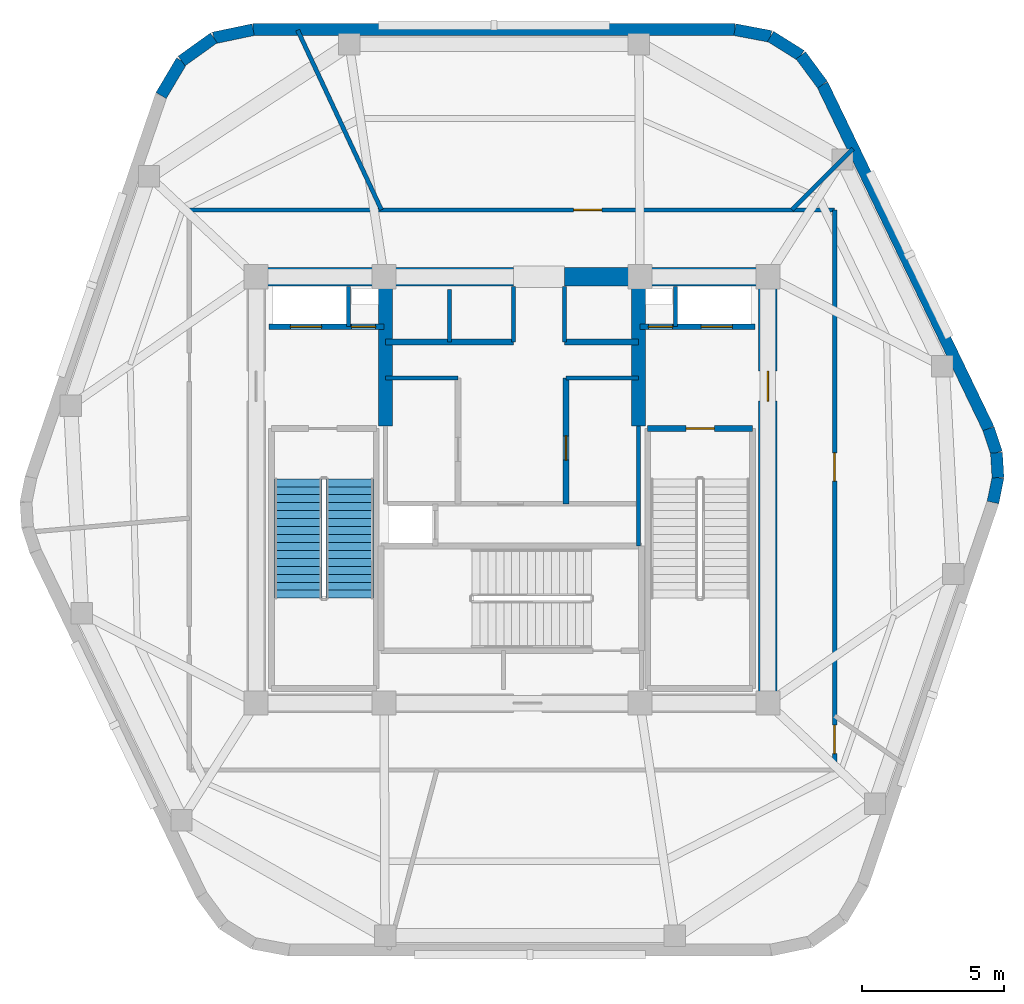
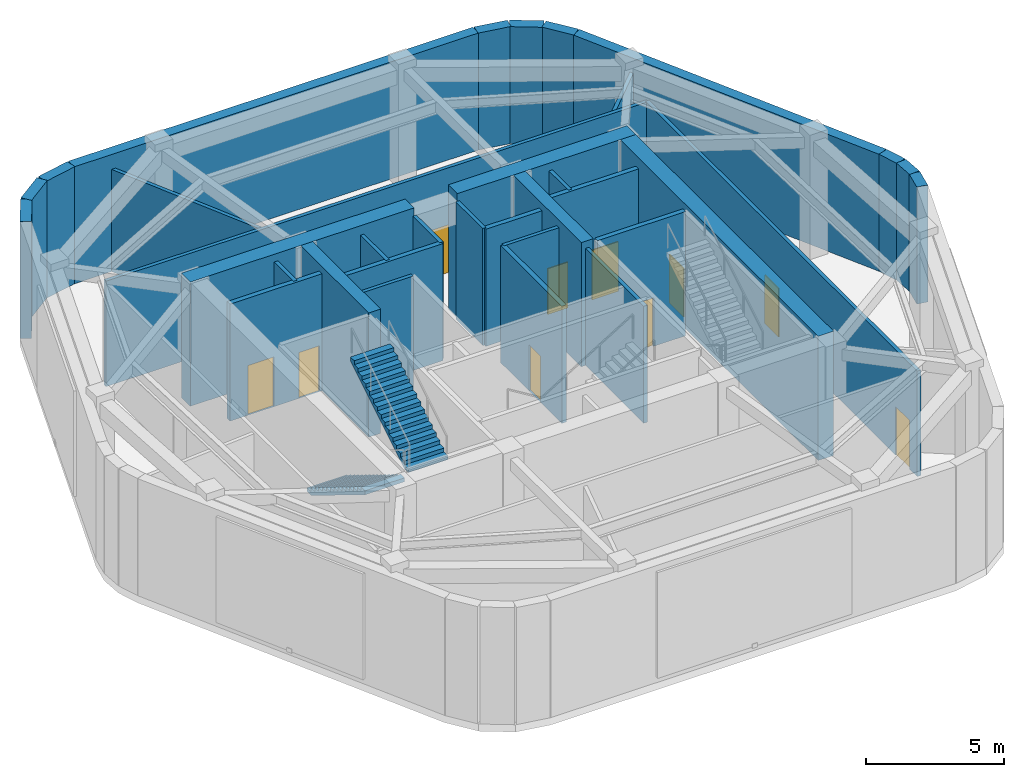
# One storey, part 3 of 6: 34 walls, 10 doors, 2 stair flights, 10 openings, 1 element without a shape of its own.
"""IFC4 building model written with IfcOpenShell, lengths in metres."""

from ifc_helpers import new_model, si_unit, direction, frame, frame_2d, origin, place, context, subcontext, project, spatial, polyline, rectangle, outline, extrude, material, layer, layer_set, type_object, element, fill, aggregate, save


model = new_model("IFC4")

# Units and contexts
model_context = context("Model", 3, precision=1e-05, world=origin(), true_north=direction((0.0, 1.0)))
body_context = subcontext(model_context, "Body", "Model", "MODEL_VIEW")
ifc_project = project(units=[si_unit("LENGTHUNIT", "METRE"), si_unit("AREAUNIT", "SQUARE_METRE"), si_unit("VOLUMEUNIT", "CUBIC_METRE"), si_unit("PLANEANGLEUNIT", "RADIAN"), si_unit("MASSUNIT", "GRAM", prefix="KILO")], contexts=[model_context])

# Site, building, storey
site_placement = place(None, origin())
site = spatial("IfcSite", under=ifc_project, at=site_placement, CompositionType="ELEMENT")
building_placement = place(site_placement, origin())
building = spatial("IfcBuilding", under=site, at=building_placement, Name="Kilnhurst Terrace Hotel", CompositionType="ELEMENT")
storey_placement = place(building_placement, frame((0.0, 0.0, 310.39990234375)))
storey = spatial("IfcBuildingStorey", under=building, at=storey_placement, Name="L77", CompositionType="ELEMENT", Elevation=310.39990234375)

# Wall, opening, door
ifc_material_1 = material(Name="Acoustic Double-Gypsum Corridor Partition Assembly")
ifc_layer_1 = layer(ifc_material_1, 0.14990234375, Name="Acoustic Double-Gypsum Corridor Partition Assembly")
ifc_layer_set_1 = layer_set([ifc_layer_1], Name="Acoustic Double-Gypsum Corridor Partition Assembly")
wall_type_1 = type_object("IfcWallType", Name="WL-COR-150", PredefinedType="PARTITIONING", material=ifc_layer_set_1)
wall_1_placement = place(storey_placement, frame((-11.35009765625, 9.85009765625, 0.0), z_axis=(0.0, 0.0, 1.0), x_axis=(1.0, 0.0, 0.0)))
wall_1 = element("IfcWall", 1, at=wall_1_placement, inside=storey, type_object=wall_type_1, Name="L77 Interior Wall WL-L77-COR-02", PredefinedType="PARTITIONING", context=body_context, shape_type="SweptSolid", body=[
    extrude(rectangle(XDim=22.7001953125, YDim=0.14990234375, at=frame_2d((11.35009765625, 0.0))), origin(), (0.0, 0.0, 1.0), 4.670166015625),
])
opening_1_placement = place(wall_1_placement, frame((13.51611328125, 0.0, 0.0)))
opening_1 = element("IfcOpeningElement", 2, at=opening_1_placement, cuts=wall_1, Name="Opening D-90B", PredefinedType="OPENING", context=body_context, shape_type="SweptSolid", body=[
    extrude(rectangle(XDim=1.0, YDim=2.14990234375, at=frame_2d((0.5, 1.074951171875))), frame((0.0, 0.0849609375, 0.0), z_axis=(0.0, -1.0, 0.0), x_axis=(1.0, 0.0, 0.0)), (0.0, 0.0, 1.0), 0.169921875),
])
ifc_material_2 = material(Name="Painted Hollow Metal Steel ASTM A36 Fire Door", Category="steel")
door_type_1 = type_object("IfcDoorType", Name="DR-FD90-1000", OperationType="NOTDEFINED", PredefinedType="DOOR", material=ifc_material_2)
door_1_placement = place(opening_1_placement, origin())
door_1 = element("IfcDoor", 3, at=door_1_placement, inside=storey, type_object=door_type_1, Name="L77 Chiller and Cooling Heat Exchanger Plant Room Door", OperationType="SINGLE_SWING_LEFT", OverallHeight=2.14990234375, OverallWidth=1.0, PredefinedType="DOOR", context=body_context, shape_type="SweptSolid", body=[
    extrude(rectangle(XDim=1.0, YDim=2.14990234375, at=frame_2d((0.5, 1.074951171875))), frame((0.0, 0.02490234375, 0.0), z_axis=(0.0, -1.0, 0.0), x_axis=(1.0, 0.0, 0.0)), (0.0, 0.0, 1.0), 0.050048828125),
])
fill(opening_1, door_1)

# Wall, openings, doors
wall_2_placement = place(storey_placement, frame((11.35009765625, 9.85009765625, 0.0), z_axis=(0.0, 0.0, 1.0), x_axis=(0.0, -1.0, 0.0)))
wall_2 = element("IfcWall", 4, at=wall_2_placement, inside=storey, type_object=wall_type_1, Name="L77 Interior Wall WL-L77-COR-03", PredefinedType="PARTITIONING", context=body_context, shape_type="SweptSolid", body=[
    extrude(rectangle(XDim=19.7001953125, YDim=0.14990234375, at=frame_2d((9.85009765625, 0.0))), origin(), (0.0, 0.0, 1.0), 4.670166015625),
])
opening_2_placement = place(wall_2_placement, frame((18.12890625, 0.0, 0.0)))
opening_2 = element("IfcOpeningElement", 5, at=opening_2_placement, cuts=wall_2, Name="Opening D-90B", PredefinedType="OPENING", context=body_context, shape_type="SweptSolid", body=[
    extrude(rectangle(XDim=1.0, YDim=2.14990234375, at=frame_2d((0.5, 1.074951171875))), frame((0.0, 0.0849609375, 0.0), z_axis=(0.0, -1.0, 0.0), x_axis=(1.0, 0.0, 0.0)), (0.0, 0.0, 1.0), 0.169921875),
])
opening_3_placement = place(wall_2_placement, frame((8.544921875, 0.0, 0.0)))
opening_3 = element("IfcOpeningElement", 6, at=opening_3_placement, cuts=wall_2, Name="Opening D-90B", PredefinedType="OPENING", context=body_context, shape_type="SweptSolid", body=[
    extrude(rectangle(XDim=1.0, YDim=2.14990234375, at=frame_2d((0.5, 1.074951171875))), frame((0.0, 0.0849609375, 0.0), z_axis=(0.0, -1.0, 0.0), x_axis=(1.0, 0.0, 0.0)), (0.0, 0.0, 1.0), 0.169921875),
])
door_2_placement = place(opening_2_placement, origin())
door_2 = element("IfcDoor", 7, at=door_2_placement, inside=storey, type_object=door_type_1, Name="L77 High Rise Electrical Switchgear and Transformer Room Door", OperationType="SINGLE_SWING_RIGHT", OverallHeight=2.14990234375, OverallWidth=1.0, PredefinedType="DOOR", context=body_context, shape_type="SweptSolid", body=[
    extrude(rectangle(XDim=1.0, YDim=2.14990234375, at=frame_2d((0.5, 1.074951171875))), frame((0.0, 0.02490234375, 0.0), z_axis=(0.0, -1.0, 0.0), x_axis=(1.0, 0.0, 0.0)), (0.0, 0.0, 1.0), 0.050048828125),
])
fill(opening_2, door_2)
door_3_placement = place(opening_3_placement, origin())
door_3 = element("IfcDoor", 8, at=door_3_placement, inside=storey, type_object=door_type_1, Name="L77 Building Automation and Telecom Plant Room Door", OperationType="SINGLE_SWING_LEFT", OverallHeight=2.14990234375, OverallWidth=1.0, PredefinedType="DOOR", context=body_context, shape_type="SweptSolid", body=[
    extrude(rectangle(XDim=1.0, YDim=2.14990234375, at=frame_2d((0.5, 1.074951171875))), frame((0.0, 0.02490234375, 0.0), z_axis=(0.0, -1.0, 0.0), x_axis=(1.0, 0.0, 0.0)), (0.0, 0.0, 1.0), 0.050048828125),
])
fill(opening_3, door_3)

# Walls
wall_3_placement = place(storey_placement, frame((9.85009765625, 9.85009765625, 0.0), z_axis=(0.0, 0.0, 1.0), x_axis=(0.707106781187, 0.707106781187, 0.0)))
element("IfcWall", 9, at=wall_3_placement, inside=storey, type_object=wall_type_1, Name="L77 Interior Wall WL-L77-PDIV-1-1", PredefinedType="PARTITIONING", context=body_context, shape_type="SweptSolid", body=[
    extrude(rectangle(XDim=3.03466796875, YDim=0.14990234375, at=frame_2d((1.517333984375, 0.0))), origin(), (0.0, 0.0, 1.0), 4.52001953125),
])
wall_4_placement = place(storey_placement, frame((-4.593017578125, 9.85009765625, 0.0), z_axis=(0.0, 0.0, 1.0), x_axis=(-0.422628821743, 0.906302862752, 0.0)))
element("IfcWall", 10, at=wall_4_placement, inside=storey, type_object=wall_type_1, Name="L77 Interior Wall WL-L77-PDIV-2-1", PredefinedType="PARTITIONING", context=body_context, shape_type="SweptSolid", body=[
    extrude(rectangle(XDim=6.978759765625, YDim=0.14990234375, at=frame_2d((3.4892578125, 0.0))), origin(), (0.0, 0.0, 1.0), 4.52001953125),
])
ifc_material_3 = material(Name="Concrete C60/75", Category="concrete")
ifc_layer_2 = layer(ifc_material_3, 0.64990234375, Name="Concrete C60/75")
ifc_layer_set_2 = layer_set([ifc_layer_2], Name="Concrete C60/75")
wall_type_2 = type_object("IfcWallType", Name="WL-CORE-650", PredefinedType="SHEAR", material=ifc_layer_set_2)
wall_5_placement = place(storey_placement, frame((-9.324951171875, 7.5, 0.0), z_axis=(0.0, 0.0, 1.0), x_axis=(1.0, 0.0, 0.0)))
element("IfcWall", 11, at=wall_5_placement, inside=storey, type_object=wall_type_2, Name="L77 Core North West Shear Wall", PredefinedType="SHEAR", context=body_context, shape_type="SweptSolid", body=[
    extrude(rectangle(XDim=9.375, YDim=0.64990234375, at=frame_2d((4.6875, 0.0))), origin(), (0.0, 0.0, 1.0), 5.5),
])
wall_6_placement = place(storey_placement, frame((1.85009765625, 7.5, 0.0), z_axis=(0.0, 0.0, 1.0), x_axis=(1.0, 0.0, 0.0)))
element("IfcWall", 12, at=wall_6_placement, inside=storey, type_object=wall_type_2, Name="L77 Core North East Shear Wall", PredefinedType="SHEAR", context=body_context, shape_type="SweptSolid", body=[
    extrude(rectangle(XDim=7.474853515625, YDim=0.64990234375, at=frame_2d((3.7373046875, 0.0))), origin(), (0.0, 0.0, 1.0), 5.5),
])

# Wall, opening, door
wall_7_placement = place(storey_placement, frame((9.0, -7.175048828125, 0.0), z_axis=(0.0, 0.0, 1.0), x_axis=(0.0, 1.0, 0.0)))
wall_7 = element("IfcWall", 13, at=wall_7_placement, inside=storey, type_object=wall_type_2, Name="L77 Core East Shear Wall", PredefinedType="SHEAR", context=body_context, shape_type="SweptSolid", body=[
    extrude(rectangle(XDim=14.35009765625, YDim=0.64990234375, at=frame_2d((7.175048828125, 0.0))), origin(), (0.0, 0.0, 1.0), 5.5),
])
opening_4_placement = place(wall_7_placement, frame((10.300048828125, 0.0, 0.0)))
opening_4 = element("IfcOpeningElement", 14, at=opening_4_placement, cuts=wall_7, Name="Opening D-90A", PredefinedType="OPENING", context=body_context, shape_type="SweptSolid", body=[
    extrude(rectangle(XDim=1.050048828125, YDim=2.14990234375, at=frame_2d((0.52490234375, 1.074951171875))), frame((0.0, 0.3349609375, 0.0), z_axis=(0.0, -1.0, 0.0), x_axis=(1.0, 0.0, 0.0)), (0.0, 0.0, 1.0), 0.669921875),
])
door_type_2 = type_object("IfcDoorType", Name="DR-FD90-1050", OperationType="NOTDEFINED", PredefinedType="DOOR", material=ifc_material_2)
door_4_placement = place(opening_4_placement, origin())
door_4 = element("IfcDoor", 15, at=door_4_placement, inside=storey, type_object=door_type_2, Name="L77 East Firefighting Lobby Door", OperationType="SINGLE_SWING_LEFT", OverallHeight=2.14990234375, OverallWidth=1.050048828125, PredefinedType="DOOR", context=body_context, shape_type="SweptSolid", body=[
    extrude(rectangle(XDim=1.050048828125, YDim=2.14990234375, at=frame_2d((0.52490234375, 1.074951171875))), frame((0.0, 0.02490234375, 0.0), z_axis=(0.0, -1.0, 0.0), x_axis=(1.0, 0.0, 0.0)), (0.0, 0.0, 1.0), 0.050048828125),
])
fill(opening_4, door_4)

# Walls
ifc_layer_3 = layer(ifc_material_3, 0.5, Name="Concrete C60/75")
ifc_layer_set_3 = layer_set([ifc_layer_3], Name="Concrete C60/75")
wall_type_3 = type_object("IfcWallType", Name="WL-CORE-WEB-500", PredefinedType="SHEAR", material=ifc_layer_set_3)
for number, where, z_axis, x_axis, name in (
    (16, (-4.449951171875, 2.25, 0.0), (0.0, 0.0, 1.0), (0.0, 1.0, 0.0), "L77 Core Internal West Shear Web"),
    (17, (4.449951171875, 2.25, 0.0), (0.0, 0.0, 1.0), (0.0, 1.0, 0.0), "L77 Core Internal East Shear Web"),
):
    element("IfcWall", number, at=place(storey_placement, frame(where, z_axis=z_axis, x_axis=x_axis)), inside=storey, type_object=wall_type_3, Name=name, PredefinedType="SHEAR", context=body_context, shape_type="SweptSolid", body=[
        extrude(rectangle(XDim=4.925048828125, YDim=0.5, at=frame_2d((2.46240234375, 0.0))), origin(), (0.0, 0.0, 1.0), 5.5),
    ])
ifc_material_4 = material(Name="Precast concrete C40/50", Category="concrete")
ifc_layer_4 = layer(ifc_material_4, 0.419921875, Name="Precast concrete C40/50")
ifc_layer_set_4 = layer_set([ifc_layer_4], Name="Precast concrete C40/50")
wall_type_4 = type_object("IfcWallType", Name="WL-CRN-420", PredefinedType="SOLIDWALL", material=ifc_layer_set_4)
wall_8_placement = place(storey_placement, frame((16.9208984375, -0.440185546875, 0.0), z_axis=(0.0, 0.0, 1.0), x_axis=(0.197170749138, 0.980369162961, 0.0)))
element("IfcWall", 18, at=wall_8_placement, inside=storey, type_object=wall_type_4, Name="L77 Rounded Corner Brick Wall C3.1", PredefinedType="SOLIDWALL", context=body_context, shape_type="SweptSolid", body=[
    extrude(rectangle(XDim=0.890380859375, YDim=0.419921875, at=frame_2d((0.4453125, 0.0))), origin(), (0.0, 0.0, 1.0), 5.18017578125),
])
wall_9_placement = place(storey_placement, frame((17.096435546875, 0.4326171875, 0.0), z_axis=(0.0, 0.0, 1.0), x_axis=(-0.060469820114, 0.998170026025, 0.0)))
element("IfcWall", 19, at=wall_9_placement, inside=storey, type_object=wall_type_4, Name="L77 Rounded Corner Brick Wall C3.2", PredefinedType="SOLIDWALL", context=body_context, shape_type="SweptSolid", body=[
    extrude(rectangle(XDim=0.876220703125, YDim=0.419921875, at=frame_2d((0.43798828125, 0.0))), origin(), (0.0, 0.0, 1.0), 5.18017578125),
])
wall_10_placement = place(storey_placement, frame((17.04345703125, 1.30712890625, 0.0), z_axis=(0.0, 0.0, 1.0), x_axis=(-0.314581701602, 0.949230400386, 0.0)))
element("IfcWall", 20, at=wall_10_placement, inside=storey, type_object=wall_type_4, Name="L77 Rounded Corner Brick Wall C3.3", PredefinedType="SOLIDWALL", context=body_context, shape_type="SweptSolid", body=[
    extrude(rectangle(XDim=0.89013671875, YDim=0.419921875, at=frame_2d((0.445068359375, 0.0))), origin(), (0.0, 0.0, 1.0), 5.18017578125),
])
wall_11_placement = place(storey_placement, frame((10.921630859375, 14.255859375, 0.0), z_axis=(0.0, 0.0, 1.0), x_axis=(-0.594423284796, 0.804152322941, 0.0)))
element("IfcWall", 21, at=wall_11_placement, inside=storey, type_object=wall_type_4, Name="L77 Rounded Corner Brick Wall C4.1", PredefinedType="SOLIDWALL", context=body_context, shape_type="SweptSolid", body=[
    extrude(rectangle(XDim=1.278076171875, YDim=0.419921875, at=frame_2d((0.63916015625, 0.0))), origin(), (0.0, 0.0, 1.0), 5.18017578125),
])
wall_12_placement = place(storey_placement, frame((10.161865234375, 15.28369140625, 0.0), z_axis=(0.0, 0.0, 1.0), x_axis=(-0.846993641169, 0.53160302089, 0.0)))
element("IfcWall", 22, at=wall_12_placement, inside=storey, type_object=wall_type_4, Name="L77 Rounded Corner Brick Wall C4.2", PredefinedType="SOLIDWALL", context=body_context, shape_type="SweptSolid", body=[
    extrude(rectangle(XDim=1.2578125, YDim=0.419921875, at=frame_2d((0.62890625, 0.0))), origin(), (0.0, 0.0, 1.0), 5.18017578125),
])
wall_13_placement = place(storey_placement, frame((9.096435546875, 15.952392578125, 0.0), z_axis=(0.0, 0.0, 1.0), x_axis=(-0.982583442004, 0.185821902637, 0.0)))
element("IfcWall", 23, at=wall_13_placement, inside=storey, type_object=wall_type_4, Name="L77 Rounded Corner Brick Wall C4.3", PredefinedType="SOLIDWALL", context=body_context, shape_type="SweptSolid", body=[
    extrude(rectangle(XDim=1.2783203125, YDim=0.419921875, at=frame_2d((0.63916015625, 0.0))), origin(), (0.0, 0.0, 1.0), 5.18017578125),
])
wall_14_placement = place(storey_placement, frame((-9.105712890625, 16.18994140625, 0.0), z_axis=(0.0, 0.0, 1.0), x_axis=(-0.978670507127, -0.205436215114, 0.0)))
element("IfcWall", 24, at=wall_14_placement, inside=storey, type_object=wall_type_4, Name="L77 Rounded Corner Brick Wall C5.1", PredefinedType="SOLIDWALL", context=body_context, shape_type="SweptSolid", body=[
    extrude(rectangle(XDim=1.414306640625, YDim=0.419921875, at=frame_2d((0.70703125, 0.0))), origin(), (0.0, 0.0, 1.0), 5.18017578125),
])
wall_15_placement = place(storey_placement, frame((-10.48974609375, 15.8994140625, 0.0), z_axis=(0.0, 0.0, 1.0), x_axis=(-0.813104912719, -0.58211717112, 0.0)))
element("IfcWall", 25, at=wall_15_placement, inside=storey, type_object=wall_type_4, Name="L77 Rounded Corner Brick Wall C5.2", PredefinedType="SOLIDWALL", context=body_context, shape_type="SweptSolid", body=[
    extrude(rectangle(XDim=1.39208984375, YDim=0.419921875, at=frame_2d((0.696044921875, 0.0))), origin(), (0.0, 0.0, 1.0), 5.18017578125),
])
wall_16_placement = place(storey_placement, frame((-11.62158203125, 15.089111328125, 0.0), z_axis=(0.0, 0.0, 1.0), x_axis=(-0.510403153597, -0.859935242212, 0.0)))
element("IfcWall", 26, at=wall_16_placement, inside=storey, type_object=wall_type_4, Name="L77 Rounded Corner Brick Wall C5.3", PredefinedType="SOLIDWALL", context=body_context, shape_type="SweptSolid", body=[
    extrude(rectangle(XDim=1.414306640625, YDim=0.419921875, at=frame_2d((0.70703125, 0.0))), origin(), (0.0, 0.0, 1.0), 5.18017578125),
])
wall_17_placement = place(storey_placement, frame((16.763427734375, 2.152099609375, 0.0), z_axis=(0.0, 0.0, 1.0), x_axis=(-0.434664735238, 0.900592342817, 0.0)))
element("IfcWall", 27, at=wall_17_placement, inside=storey, type_object=wall_type_4, Name="L77 Exterior Brick Facade Wall F3", PredefinedType="SOLIDWALL", context=body_context, shape_type="SweptSolid", body=[
    extrude(rectangle(XDim=13.439697265625, YDim=0.419921875, at=frame_2d((6.7197265625, 0.0))), origin(), (0.0, 0.0, 1.0), 5.18017578125),
])
wall_18_placement = place(storey_placement, frame((7.84033203125, 16.18994140625, 0.0), z_axis=(0.0, 0.0, 1.0), x_axis=(-1.0, 0.0, 0.0)))
element("IfcWall", 28, at=wall_18_placement, inside=storey, type_object=wall_type_4, Name="L77 Exterior Brick Facade Wall F4", PredefinedType="SOLIDWALL", context=body_context, shape_type="SweptSolid", body=[
    extrude(rectangle(XDim=16.946044921875, YDim=0.419921875, at=frame_2d((8.47314453125, 0.0))), origin(), (0.0, 0.0, 1.0), 5.18017578125),
])
ifc_material_5 = material(Name="Fire-Rated Gypsum Shaftliner Assembly")
ifc_layer_5 = layer(ifc_material_5, 0.14990234375, Name="Fire-Rated Gypsum Shaftliner Assembly")
ifc_layer_set_5 = layer_set([ifc_layer_5], Name="Fire-Rated Gypsum Shaftliner Assembly")
wall_type_5 = type_object("IfcWallType", Name="WL-SHAFT-150", PredefinedType="PARTITIONING", material=ifc_layer_set_5)
for number, where, z_axis, x_axis, name in (
    (29, (-5.75, 5.739990234375, 0.0), (0.0, 0.0, 1.0), (0.0, 1.0, 0.0), "L77 Interior Wall WL-L77-RIS1-DIV"),
    (30, (5.75, 5.739990234375, 0.0), (0.0, 0.0, 1.0), (0.0, 1.0, 0.0), "L77 Interior Wall WL-L77-RIS2-DIV"),
):
    element("IfcWall", number, at=place(storey_placement, frame(where, z_axis=z_axis, x_axis=x_axis)), inside=storey, type_object=wall_type_5, Name=name, PredefinedType="PARTITIONING", context=body_context, shape_type="SweptSolid", body=[
        extrude(rectangle(XDim=1.409912109375, YDim=0.14990234375, at=frame_2d((0.705078125, 0.0))), origin(), (0.0, 0.0, 1.0), 5.18017578125),
    ])
wall_19_placement = place(storey_placement, frame((-2.199951171875, 5.199951171875, 0.0), z_axis=(0.0, 0.0, 1.0), x_axis=(0.0, 1.0, 0.0)))
element("IfcWall", 31, at=wall_19_placement, inside=storey, type_object=wall_type_5, Name="L77 Interior Wall WL-L77-HR-DIV1", PredefinedType="PARTITIONING", context=body_context, shape_type="SweptSolid", body=[
    extrude(rectangle(XDim=1.85009765625, YDim=0.14990234375, at=frame_2d((0.925048828125, 0.0))), origin(), (0.0, 0.0, 1.0), 5.18017578125),
])
for number, where, z_axis, x_axis, name in (
    (32, (0.050048828125, 5.199951171875, 0.0), (0.0, 0.0, 1.0), (0.0, 1.0, 0.0), "L77 Interior Wall WL-L77-HR-PORTAL-W"),
    (33, (1.85009765625, 5.199951171875, 0.0), (0.0, 0.0, 1.0), (0.0, 1.0, 0.0), "L77 Interior Wall WL-L77-HR-PORTAL-E"),
):
    element("IfcWall", number, at=place(storey_placement, frame(where, z_axis=z_axis, x_axis=x_axis)), inside=storey, type_object=wall_type_5, Name=name, PredefinedType="PARTITIONING", context=body_context, shape_type="SweptSolid", body=[
        extrude(rectangle(XDim=1.949951171875, YDim=0.14990234375, at=frame_2d((0.97509765625, 0.0))), origin(), (0.0, 0.0, 1.0), 5.18017578125),
    ])
wall_20_placement = place(storey_placement, frame((4.449951171875, -1.971923828125, 0.0), z_axis=(0.0, 0.0, 1.0), x_axis=(0.0, 1.0, 0.0)))
element("IfcWall", 34, at=wall_20_placement, inside=storey, type_object=wall_type_5, Name="L77 Interior Wall WL-L77-XLOB-E", PredefinedType="PARTITIONING", context=body_context, shape_type="SweptSolid", body=[
    extrude(rectangle(XDim=4.221923828125, YDim=0.14990234375, at=frame_2d((2.11083984375, 0.0))), origin(), (0.0, 0.0, 1.0), 5.18017578125),
])
for number, where, z_axis, x_axis, name in (
    (35, (-4.449951171875, 3.93994140625, 0.0), (0.0, 0.0, 1.0), (1.0, 0.0, 0.0), "L77 Interior Wall WL-L77-LR-NORTH"),
    (36, (1.89990234375, 3.93994140625, 0.0), (0.0, 0.0, 1.0), (1.0, 0.0, 0.0), "L77 Interior Wall WL-L77-MR-NORTH"),
):
    element("IfcWall", number, at=place(storey_placement, frame(where, z_axis=z_axis, x_axis=x_axis)), inside=storey, type_object=wall_type_5, Name=name, PredefinedType="PARTITIONING", context=body_context, shape_type="SweptSolid", body=[
        extrude(rectangle(XDim=2.550048828125, YDim=0.14990234375, at=frame_2d((1.27490234375, 0.0))), origin(), (0.0, 0.0, 1.0), 5.18017578125),
    ])

# Wall, openings, doors
ifc_material_6 = material(Name="Autoclaved Aerated Concrete C30/37 and Gypsum Shaft Assembly", Category="concrete")
ifc_layer_6 = layer(ifc_material_6, 0.199951171875, Name="Autoclaved Aerated Concrete C30/37 and Gypsum Shaft Assembly")
ifc_layer_set_6 = layer_set([ifc_layer_6], Name="Autoclaved Aerated Concrete C30/37 and Gypsum Shaft Assembly")
wall_type_6 = type_object("IfcWallType", Name="WL-SHAFT-200", PredefinedType="PARTITIONING", material=ifc_layer_set_6)
wall_21_placement = place(storey_placement, frame((-8.550048828125, 5.739990234375, 0.0), z_axis=(0.0, 0.0, 1.0), x_axis=(1.0, 0.0, 0.0)))
wall_21 = element("IfcWall", 37, at=wall_21_placement, inside=storey, type_object=wall_type_6, Name="L77 Interior Wall WL-L77-FSAE1-S", PredefinedType="PARTITIONING", context=body_context, shape_type="SweptSolid", body=[
    extrude(rectangle(XDim=4.050048828125, YDim=0.199951171875, at=frame_2d((2.02490234375, 0.0))), origin(), (0.0, 0.0, 1.0), 5.18017578125),
])
opening_5_placement = place(wall_21_placement, frame((0.75, 0.0, 0.0)))
opening_5 = element("IfcOpeningElement", 38, at=opening_5_placement, cuts=wall_21, Name="Opening LD-F1", PredefinedType="OPENING", context=body_context, shape_type="SweptSolid", body=[
    extrude(rectangle(XDim=1.10009765625, YDim=2.199951171875, at=frame_2d((0.550048828125, 1.10009765625))), frame((0.0, 0.10986328125, 0.0), z_axis=(0.0, -1.0, 0.0), x_axis=(1.0, 0.0, 0.0)), (0.0, 0.0, 1.0), 0.219970703125),
])
opening_6_placement = place(wall_21_placement, frame((2.89990234375, 0.0, 0.0)))
opening_6 = element("IfcOpeningElement", 39, at=opening_6_placement, cuts=wall_21, Name="Opening D-60D", PredefinedType="OPENING", context=body_context, shape_type="SweptSolid", body=[
    extrude(rectangle(XDim=0.85009765625, YDim=2.030029296875, at=frame_2d((0.425048828125, 1.01513671875))), frame((0.0, 0.10986328125, 0.0), z_axis=(0.0, -1.0, 0.0), x_axis=(1.0, 0.0, 0.0)), (0.0, 0.0, 1.0), 0.219970703125),
])
ifc_material_7 = material(Name="Painted Hollow Metal Steel ASTM A36 Riser Door", Category="steel")
door_type_3 = type_object("IfcDoorType", Name="DR-FD60-850", OperationType="NOTDEFINED", PredefinedType="DOOR", material=ifc_material_7)
door_5_placement = place(opening_6_placement, origin())
door_5 = element("IfcDoor", 40, at=door_5_placement, inside=storey, type_object=door_type_3, Name="L77 Electrical Riser Door", OperationType="SINGLE_SWING_LEFT", OverallHeight=2.030029296875, OverallWidth=0.85009765625, PredefinedType="DOOR", context=body_context, shape_type="SweptSolid", body=[
    extrude(rectangle(XDim=0.85009765625, YDim=2.030029296875, at=frame_2d((0.425048828125, 1.01513671875))), frame((0.0, 0.02490234375, 0.0), z_axis=(0.0, -1.0, 0.0), x_axis=(1.0, 0.0, 0.0)), (0.0, 0.0, 1.0), 0.050048828125),
])
fill(opening_6, door_5)
ifc_material_8 = material(Name="Bronze-Anodized Stainless Steel AISI 316L Sliding Door", Category="steel")
door_type_4 = type_object("IfcDoorType", Name="DR-LIFT-1100", OperationType="NOTDEFINED", PredefinedType="DOOR", material=ifc_material_8)
door_6_placement = place(opening_5_placement, origin())
door_6 = element("IfcDoor", 41, at=door_6_placement, inside=storey, type_object=door_type_4, Name="L77 FSAE-1 Landing Door", OperationType="SLIDING_TO_LEFT", OverallHeight=2.199951171875, OverallWidth=1.10009765625, PredefinedType="DOOR", context=body_context, shape_type="SweptSolid", body=[
    extrude(rectangle(XDim=1.10009765625, YDim=2.199951171875, at=frame_2d((0.550048828125, 1.10009765625))), frame((0.0, 0.02490234375, 0.0), z_axis=(0.0, -1.0, 0.0), x_axis=(1.0, 0.0, 0.0)), (0.0, 0.0, 1.0), 0.050048828125),
])
fill(opening_5, door_6)

wall_22_placement = place(storey_placement, frame((4.5, 5.739990234375, 0.0), z_axis=(0.0, 0.0, 1.0), x_axis=(1.0, 0.0, 0.0)))
wall_22 = element("IfcWall", 42, at=wall_22_placement, inside=storey, type_object=wall_type_6, Name="L77 Interior Wall WL-L77-FSAE2-S", PredefinedType="PARTITIONING", context=body_context, shape_type="SweptSolid", body=[
    extrude(rectangle(XDim=4.050048828125, YDim=0.199951171875, at=frame_2d((2.02490234375, 0.0))), origin(), (0.0, 0.0, 1.0), 5.18017578125),
])
opening_7_placement = place(wall_22_placement, frame((0.300048828125, 0.0, 0.0)))
opening_7 = element("IfcOpeningElement", 43, at=opening_7_placement, cuts=wall_22, Name="Opening D-60D", PredefinedType="OPENING", context=body_context, shape_type="SweptSolid", body=[
    extrude(rectangle(XDim=0.85009765625, YDim=2.030029296875, at=frame_2d((0.425048828125, 1.01513671875))), frame((0.0, 0.10986328125, 0.0), z_axis=(0.0, -1.0, 0.0), x_axis=(1.0, 0.0, 0.0)), (0.0, 0.0, 1.0), 0.219970703125),
])
opening_8_placement = place(wall_22_placement, frame((2.14990234375, 0.0, 0.0)))
opening_8 = element("IfcOpeningElement", 44, at=opening_8_placement, cuts=wall_22, Name="Opening LD-F2", PredefinedType="OPENING", context=body_context, shape_type="SweptSolid", body=[
    extrude(rectangle(XDim=1.10009765625, YDim=2.199951171875, at=frame_2d((0.550048828125, 1.10009765625))), frame((0.0, 0.10986328125, 0.0), z_axis=(0.0, -1.0, 0.0), x_axis=(1.0, 0.0, 0.0)), (0.0, 0.0, 1.0), 0.219970703125),
])
door_7_placement = place(opening_7_placement, origin())
door_7 = element("IfcDoor", 45, at=door_7_placement, inside=storey, type_object=door_type_3, Name="L77 Telecom Riser Door", OperationType="SINGLE_SWING_RIGHT", OverallHeight=2.030029296875, OverallWidth=0.85009765625, PredefinedType="DOOR", context=body_context, shape_type="SweptSolid", body=[
    extrude(rectangle(XDim=0.85009765625, YDim=2.030029296875, at=frame_2d((0.425048828125, 1.01513671875))), frame((0.0, 0.02490234375, 0.0), z_axis=(0.0, -1.0, 0.0), x_axis=(1.0, 0.0, 0.0)), (0.0, 0.0, 1.0), 0.050048828125),
])
fill(opening_7, door_7)
door_8_placement = place(opening_8_placement, origin())
door_8 = element("IfcDoor", 46, at=door_8_placement, inside=storey, type_object=door_type_4, Name="L77 FSAE-2 Landing Door", OperationType="SLIDING_TO_RIGHT", OverallHeight=2.199951171875, OverallWidth=1.10009765625, PredefinedType="DOOR", context=body_context, shape_type="SweptSolid", body=[
    extrude(rectangle(XDim=1.10009765625, YDim=2.199951171875, at=frame_2d((0.550048828125, 1.10009765625))), frame((0.0, 0.02490234375, 0.0), z_axis=(0.0, -1.0, 0.0), x_axis=(1.0, 0.0, 0.0)), (0.0, 0.0, 1.0), 0.050048828125),
])
fill(opening_8, door_8)

# Walls
wall_23_placement = place(storey_placement, frame((-4.449951171875, 5.199951171875, 0.0), z_axis=(0.0, 0.0, 1.0), x_axis=(1.0, 0.0, 0.0)))
element("IfcWall", 47, at=wall_23_placement, inside=storey, type_object=wall_type_6, Name="L77 Interior Wall WL-L77-HR-SW", PredefinedType="PARTITIONING", context=body_context, shape_type="SweptSolid", body=[
    extrude(rectangle(XDim=4.5, YDim=0.199951171875, at=frame_2d((2.25, 0.0))), origin(), (0.0, 0.0, 1.0), 5.18017578125),
])
wall_24_placement = place(storey_placement, frame((1.85009765625, 5.199951171875, 0.0), z_axis=(0.0, 0.0, 1.0), x_axis=(1.0, 0.0, 0.0)))
element("IfcWall", 48, at=wall_24_placement, inside=storey, type_object=wall_type_6, Name="L77 Interior Wall WL-L77-HR-SE", PredefinedType="PARTITIONING", context=body_context, shape_type="SweptSolid", body=[
    extrude(rectangle(XDim=2.599853515625, YDim=0.199951171875, at=frame_2d((1.2998046875, 0.0))), origin(), (0.0, 0.0, 1.0), 5.18017578125),
])

# Wall, opening, door
wall_25_placement = place(storey_placement, frame((1.89990234375, -0.5, 0.0), z_axis=(0.0, 0.0, 1.0), x_axis=(0.0, 1.0, 0.0)))
wall_25 = element("IfcWall", 49, at=wall_25_placement, inside=storey, type_object=wall_type_6, Name="L77 Interior Wall WL-L77-MR-FRONT", PredefinedType="PARTITIONING", context=body_context, shape_type="SweptSolid", body=[
    extrude(rectangle(XDim=4.43994140625, YDim=0.199951171875, at=frame_2d((2.219970703125, 0.0))), origin(), (0.0, 0.0, 1.0), 5.18017578125),
])
opening_9_placement = place(wall_25_placement, frame((1.550048828125, 0.0, 0.0)))
opening_9 = element("IfcOpeningElement", 50, at=opening_9_placement, cuts=wall_25, Name="Opening D-60D", PredefinedType="OPENING", context=body_context, shape_type="SweptSolid", body=[
    extrude(rectangle(XDim=0.85009765625, YDim=2.030029296875, at=frame_2d((0.425048828125, 1.01513671875))), frame((0.0, 0.10986328125, 0.0), z_axis=(0.0, -1.0, 0.0), x_axis=(1.0, 0.0, 0.0)), (0.0, 0.0, 1.0), 0.219970703125),
])
door_9_placement = place(opening_9_placement, origin())
door_9 = element("IfcDoor", 51, at=door_9_placement, inside=storey, type_object=door_type_3, Name="L77 Staff Accessible Restroom Door", OperationType="SINGLE_SWING_RIGHT", OverallHeight=2.030029296875, OverallWidth=0.85009765625, PredefinedType="DOOR", context=body_context, shape_type="SweptSolid", body=[
    extrude(rectangle(XDim=0.85009765625, YDim=2.030029296875, at=frame_2d((0.425048828125, 1.01513671875))), frame((0.0, 0.02490234375, 0.0), z_axis=(0.0, -1.0, 0.0), x_axis=(1.0, 0.0, 0.0)), (0.0, 0.0, 1.0), 0.050048828125),
])
fill(opening_9, door_9)

ifc_material_9 = material(Name="Concrete C50/60", Category="concrete")
ifc_layer_7 = layer(ifc_material_9, 0.199951171875, Name="Concrete C50/60")
ifc_layer_set_7 = layer_set([ifc_layer_7], Name="Concrete C50/60")
wall_type_7 = type_object("IfcWallType", Name="WL-STAIR-RC-200", PredefinedType="SHEAR", material=ifc_layer_set_7)
wall_26_placement = place(storey_placement, frame((4.77197265625, 2.157958984375, 0.0), z_axis=(0.0, 0.0, 1.0), x_axis=(1.0, 0.0, 0.0)))
wall_26 = element("IfcWall", 52, at=wall_26_placement, inside=storey, type_object=wall_type_7, Name="L77 Structural Stair Shaft Wall WL-L77-ST2-N", PredefinedType="SHEAR", context=body_context, shape_type="SweptSolid", body=[
    extrude(rectangle(XDim=3.68603515625, YDim=0.199951171875, at=frame_2d((1.843017578125, 0.0))), origin(), (0.0, 0.0, 1.0), 5.5),
])
opening_10_placement = place(wall_26_placement, frame((1.35009765625, 0.0, 0.0)))
opening_10 = element("IfcOpeningElement", 53, at=opening_10_placement, cuts=wall_26, Name="Opening D-90B", PredefinedType="OPENING", context=body_context, shape_type="SweptSolid", body=[
    extrude(rectangle(XDim=1.0, YDim=2.14990234375, at=frame_2d((0.5, 1.074951171875))), frame((0.0, 0.10986328125, 0.0), z_axis=(0.0, -1.0, 0.0), x_axis=(1.0, 0.0, 0.0)), (0.0, 0.0, 1.0), 0.219970703125),
])
door_10_placement = place(opening_10_placement, origin())
door_10 = element("IfcDoor", 54, at=door_10_placement, inside=storey, type_object=door_type_1, Name="L77 Stair ST-2 Door", OperationType="SINGLE_SWING_RIGHT", OverallHeight=2.14990234375, OverallWidth=1.0, PredefinedType="DOOR", context=body_context, shape_type="SweptSolid", body=[
    extrude(rectangle(XDim=1.0, YDim=2.14990234375, at=frame_2d((0.5, 1.074951171875))), frame((0.0, 0.02490234375, 0.0), z_axis=(0.0, -1.0, 0.0), x_axis=(1.0, 0.0, 0.0)), (0.0, 0.0, 1.0), 0.050048828125),
])
fill(opening_10, door_10)

# Stair, stair flights
stair_type = type_object("IfcStairType", Name="STR-CORE-1660", PredefinedType="HALF_TURN_STAIR", material=ifc_material_9)
stair_placement = place(storey_placement, origin())
stair = element("IfcStair", 55, at=stair_placement, inside=storey, type_object=stair_type, Name="L77 ST-1", PredefinedType="HALF_TURN_STAIR")
stair_flight_type = type_object("IfcStairFlightType", Name="FLT-RC-1660", PredefinedType="STRAIGHT", material=ifc_material_9)
stair_flight_1_placement = place(storey_placement, frame((-7.52001953125, 0.389892578125, 0.0), z_axis=(0.0, 0.0, 1.0), x_axis=(0.0, -1.0, 0.0)))
stair_flight_1 = element("IfcStairFlight", 56, at=stair_flight_1_placement, type_object=stair_flight_type, Name="ST-1 flight 1", NumberOfRisers=16, NumberOfTreads=15, PredefinedType="STRAIGHT", RiserHeight=0.171875, TreadLength=0.28, context=body_context, shape_type="SweptSolid", body=[
    extrude(outline(polyline([(0.0, 0.0), (0.0, 0.171875), (0.280029296875, 0.171875), (0.280029296875, 0.34375), (0.56005859375, 0.34375), (0.56005859375, 0.515625), (0.840087890625, 0.515625), (0.840087890625, 0.6875), (1.1201171875, 0.6875), (1.1201171875, 0.859375), (1.39990234375, 0.859375), (1.39990234375, 1.03125), (1.679931640625, 1.03125), (1.679931640625, 1.203125), (1.9599609375, 1.203125), (1.9599609375, 1.375), (2.239990234375, 1.375), (2.239990234375, 1.546875), (2.52001953125, 1.546875), (2.52001953125, 1.71875), (2.800048828125, 1.71875), (2.800048828125, 1.890625), (3.080078125, 1.890625), (3.080078125, 2.0625), (3.360107421875, 2.0625), (3.360107421875, 2.234375), (3.639892578125, 2.234375), (3.639892578125, 2.40625), (3.919921875, 2.40625), (3.919921875, 2.578125), (4.199951171875, 2.578125), (4.199951171875, 2.75), (4.199951171875, 2.40234375), (0.28662109375, 0.0), (0.0, 0.0)])), frame((0.0, 0.830078125, 0.0), z_axis=(0.0, -1.0, 0.0), x_axis=(1.0, 0.0, 0.0)), (0.0, 0.0, 1.0), 1.659912109375),
])
stair_flight_2_placement = place(storey_placement, frame((-5.7099609375, -3.81005859375, 2.75), z_axis=(0.0, 0.0, 1.0), x_axis=(0.0, 1.0, 0.0)))
stair_flight_2 = element("IfcStairFlight", 57, at=stair_flight_2_placement, type_object=stair_flight_type, Name="ST-1 flight 2", NumberOfRisers=16, NumberOfTreads=15, PredefinedType="STRAIGHT", RiserHeight=0.171875, TreadLength=0.28, context=body_context, shape_type="SweptSolid", body=[
    extrude(outline(polyline([(0.0, 0.0), (0.0, 0.171875), (0.280029296875, 0.171875), (0.280029296875, 0.34375), (0.56005859375, 0.34375), (0.56005859375, 0.515625), (0.840087890625, 0.515625), (0.840087890625, 0.6875), (1.1201171875, 0.6875), (1.1201171875, 0.859375), (1.39990234375, 0.859375), (1.39990234375, 1.03125), (1.679931640625, 1.03125), (1.679931640625, 1.203125), (1.9599609375, 1.203125), (1.9599609375, 1.375), (2.239990234375, 1.375), (2.239990234375, 1.546875), (2.52001953125, 1.546875), (2.52001953125, 1.71875), (2.800048828125, 1.71875), (2.800048828125, 1.890625), (3.080078125, 1.890625), (3.080078125, 2.0625), (3.360107421875, 2.0625), (3.360107421875, 2.234375), (3.639892578125, 2.234375), (3.639892578125, 2.40625), (3.919921875, 2.40625), (3.919921875, 2.578125), (4.199951171875, 2.578125), (4.199951171875, 2.75), (4.199951171875, 2.40234375), (0.28662109375, 0.0), (0.0, 0.0)])), frame((0.0, 0.830078125, 0.0), z_axis=(0.0, -1.0, 0.0), x_axis=(1.0, 0.0, 0.0)), (0.0, 0.0, 1.0), 1.659912109375),
])
aggregate(stair, [stair_flight_1, stair_flight_2])

save(model, "model.ifc")
